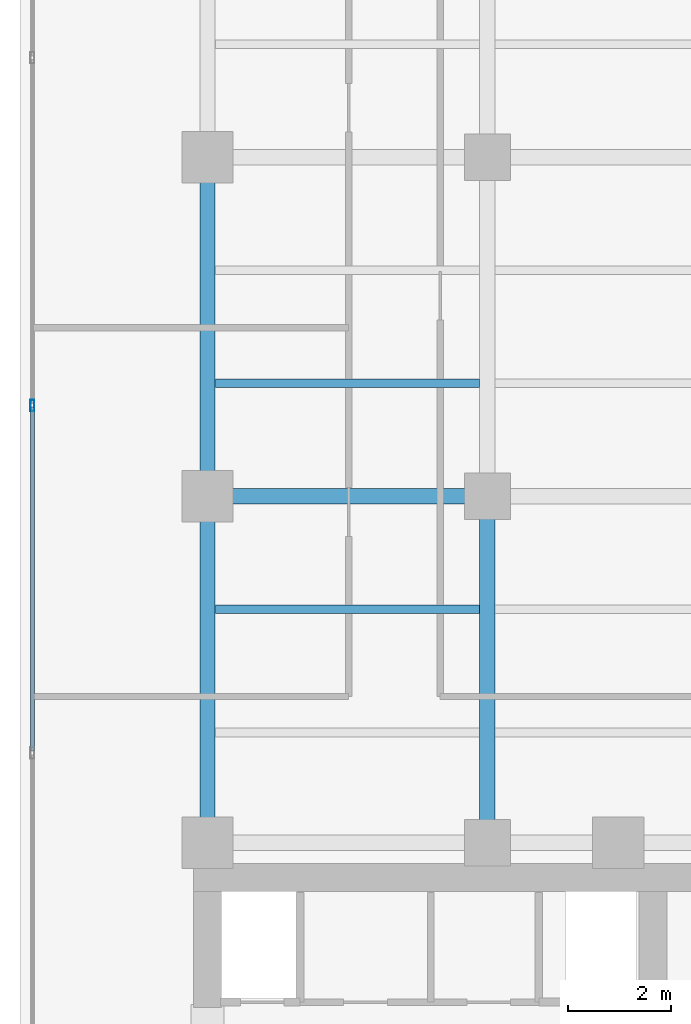
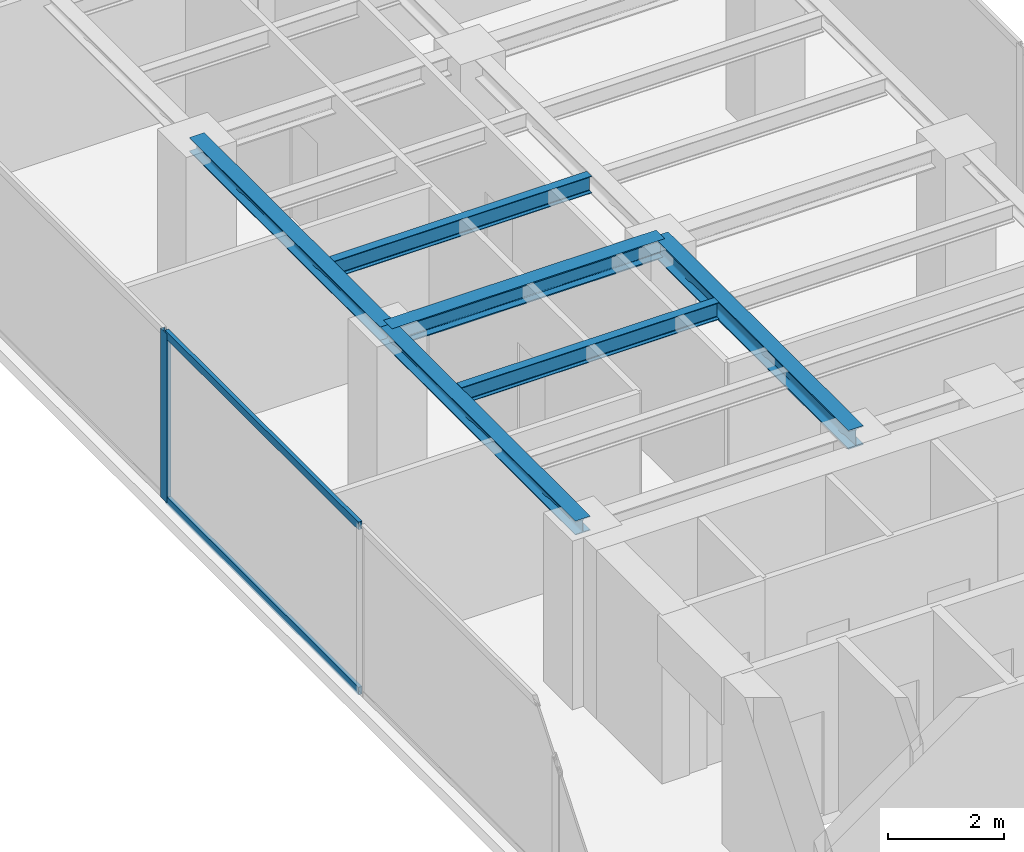
# One storey, part 7 of 23: 6 beams, 3 members, 1 element without a shape of its own.
"""IFC4 building model written with IfcOpenShell, lengths in metres."""

import ifcopenshell
import ifcopenshell.guid

model = None  # the IFC model being written
_history = None  # IfcOwnerHistory: only IFC2X3 demands one
_inside = {}  # id of a spatial element -> (the spatial element, [elements in it])
_under = {}  # id of a project, library or spatial element -> (it, [spatial elements below it])
_declared = {}  # id of a project -> (the project, [libraries it declares])
_typed = {}  # id of a type object -> (the type object, [elements of that type])
_made_of = {}  # id of a material, layer set ... -> (it, [elements and type objects made of it])


def new_model(schema):
    """Start an empty IFC model of exactly this schema.

    Asked for "IFC4X3", IfcOpenShell would pick the latest addendum, in which some entities
    have other attributes; the version numbers below select the first issue.
    IFC2X3 requires an IfcOwnerHistory on every rooted entity: one is made here for all.
    """
    global model, _history
    if schema == "IFC4X3":
        model = ifcopenshell.file(schema_version=(4, 3, 0, 0))
    else:
        model = ifcopenshell.file(schema=schema)
    _inside.clear()
    _under.clear()
    _declared.clear()
    _typed.clear()
    _made_of.clear()
    _history = None
    if model.schema == "IFC2X3":
        org = make("IfcOrganization", Name="unknown")
        user = make(
            "IfcPersonAndOrganization",
            ThePerson=make("IfcPerson", FamilyName="unknown"),
            TheOrganization=org,
        )
        app = make(
            "IfcApplication",
            ApplicationDeveloper=org,
            Version="unknown",
            ApplicationFullName="unknown",
            ApplicationIdentifier="unknown",
        )
        _history = make(
            "IfcOwnerHistory",
            OwningUser=user,
            OwningApplication=app,
            ChangeAction="ADDED",
            CreationDate=0,
        )
    return model


def make(cls, **values):
    """One entity of the class cls with the attributes given. An attribute that is None is left unset."""
    return model.create_entity(
        cls, **{name: value for name, value in values.items() if value is not None}
    )


def rooted(cls, **values):
    """An entity with a GlobalId (a new one), such as an element, a storey or a relation."""
    return make(cls, GlobalId=ifcopenshell.guid.new(), OwnerHistory=_history, **values)


def si_unit(unit_type, name, prefix=None):
    """IfcSIUnit, for example si_unit("LENGTHUNIT", "METRE", prefix="MILLI")."""
    return make("IfcSIUnit", UnitType=unit_type, Prefix=prefix, Name=name)


def assignment(units):
    """IfcUnitAssignment: the units of a project."""
    return None if units is None else make("IfcUnitAssignment", Units=units)


def point(xyz):
    """IfcCartesianPoint."""
    return None if xyz is None else make("IfcCartesianPoint", Coordinates=xyz)


def direction(xyz):
    """IfcDirection."""
    return None if xyz is None else make("IfcDirection", DirectionRatios=xyz)


def frame(location, z_axis=None, x_axis=None):
    """IfcAxis2Placement3D, a coordinate frame: its origin and axes. An axis left out is left unset."""
    return make(
        "IfcAxis2Placement3D",
        Location=point(location),
        Axis=direction(z_axis),
        RefDirection=direction(x_axis),
    )


def frame_2d(location, x_axis=None):
    """IfcAxis2Placement2D, a coordinate frame in the plane: its origin and x axis."""
    return make(
        "IfcAxis2Placement2D", Location=point(location), RefDirection=direction(x_axis)
    )


def origin():
    """The frame at (0, 0, 0) with its axes left unset."""
    return frame((0.0, 0.0, 0.0))


def origin_with_axes():
    """The frame at (0, 0, 0) with the z axis (0, 0, 1) and the x axis (1, 0, 0) written out."""
    return frame((0.0, 0.0, 0.0), z_axis=(0.0, 0.0, 1.0), x_axis=(1.0, 0.0, 0.0))


def origin_2d():
    """The frame at (0, 0) in the plane with its x axis left unset."""
    return frame_2d((0.0, 0.0))


def place(relative_to, where):
    """IfcLocalPlacement: puts the frame where relative to a parent placement (None: the world)."""
    return make(
        "IfcLocalPlacement", PlacementRelTo=relative_to, RelativePlacement=where
    )


def context(
    kind, dimensions, precision=None, world=None, true_north=None, identifier=None
):
    """IfcGeometricRepresentationContext, for example the 3D "Model" context."""
    return make(
        "IfcGeometricRepresentationContext",
        ContextIdentifier=identifier,
        ContextType=kind,
        CoordinateSpaceDimension=dimensions,
        Precision=precision,
        WorldCoordinateSystem=world,
        TrueNorth=true_north,
    )


def subcontext(parent, identifier, kind, view, scale=None):
    """IfcGeometricRepresentationSubContext, for example "Body" below "Model"."""
    return make(
        "IfcGeometricRepresentationSubContext",
        ContextIdentifier=identifier,
        ContextType=kind,
        ParentContext=parent,
        TargetScale=scale,
        TargetView=view,
    )


def project(units=None, contexts=None):
    """IfcProject with its units and contexts."""
    return rooted(
        "IfcProject",
        Name="project",
        RepresentationContexts=contexts,
        UnitsInContext=assignment(units),
    )


def spatial(cls, under=None, at=None, **own):
    """A site, building, storey or space (cls), placed at a placement, below another one or the project."""
    s = rooted(cls, ObjectPlacement=at, **own)
    if under is not None:
        _under.setdefault(under.id(), (under, []))[1].append(s)
    return s


def profile(cls, at=None, kind="AREA", **sizes):
    """A parametric profile (cls). Its sizes go by their IFC names, for example OverallWidth=200.0."""
    return make(cls, ProfileType=kind, Position=at, **sizes)


def hollow_rectangle(**sizes):
    """IfcRectangleHollowProfileDef."""
    return profile("IfcRectangleHollowProfileDef", **sizes)


def i_section(**sizes):
    """IfcIShapeProfileDef."""
    return profile("IfcIShapeProfileDef", **sizes)


def extrude(swept, where, along, depth):
    """IfcExtrudedAreaSolid: the profile swept, set in the frame where, extruded along a direction by depth."""
    return make(
        "IfcExtrudedAreaSolid",
        SweptArea=swept,
        Position=where,
        ExtrudedDirection=direction(along),
        Depth=depth,
    )


def shape(context_of_items, identifier, shape_type, items):
    """IfcShapeRepresentation: the items that make up one representation, for example the "Body"."""
    return make(
        "IfcShapeRepresentation",
        ContextOfItems=context_of_items,
        RepresentationIdentifier=identifier,
        RepresentationType=shape_type,
        Items=items,
    )


def source(mapping_origin, context_of_items, identifier, shape_type, items):
    """IfcRepresentationMap: a shape defined once, which mapped items show again and again."""
    return make(
        "IfcRepresentationMap",
        MappingOrigin=mapping_origin,
        MappedRepresentation=shape(context_of_items, identifier, shape_type, items),
    )


def transform(
    local_origin,
    x_axis=None,
    y_axis=None,
    z_axis=None,
    scale=None,
    scale2=None,
    scale3=None,
    uniform=True,
):
    """IfcCartesianTransformationOperator3D, or its non-uniform kind. x_axis, y_axis, z_axis: its Axis1, 2, 3."""
    if uniform:
        return make(
            "IfcCartesianTransformationOperator3D",
            Axis1=direction(x_axis),
            Axis2=direction(y_axis),
            LocalOrigin=point(local_origin),
            Scale=scale,
            Axis3=direction(z_axis),
        )
    return make(
        "IfcCartesianTransformationOperator3DnonUniform",
        Axis1=direction(x_axis),
        Axis2=direction(y_axis),
        LocalOrigin=point(local_origin),
        Scale=scale,
        Axis3=direction(z_axis),
        Scale2=scale2,
        Scale3=scale3,
    )


def mapped(mapping_source, mapping_target):
    """IfcMappedItem: shows the shape of a source again, moved by a transform."""
    return make(
        "IfcMappedItem", MappingSource=mapping_source, MappingTarget=mapping_target
    )


def material(Name=None, Category=None):
    """IfcMaterial."""
    return make("IfcMaterial", Name=Name, Category=Category)


def layer(
    of_material, thickness, ventilated=None, Name=None, Category=None, Priority=None
):
    """IfcMaterialLayer: one layer of a wall or slab, of a material (None: an air gap)."""
    return make(
        "IfcMaterialLayer",
        Material=of_material,
        LayerThickness=thickness,
        IsVentilated=ventilated,
        Name=Name,
        Category=Category,
        Priority=Priority,
    )


def layer_set(layers, Name=None):
    """IfcMaterialLayerSet."""
    return make("IfcMaterialLayerSet", MaterialLayers=layers, LayerSetName=Name)


def material_profile(
    of_material, cross_section, Name=None, Category=None, Priority=None
):
    """IfcMaterialProfile: a cross section and its material."""
    return make(
        "IfcMaterialProfile",
        Name=Name,
        Material=of_material,
        Profile=cross_section,
        Priority=Priority,
        Category=Category,
    )


def profile_set(profiles, Name=None, composite=None):
    """IfcMaterialProfileSet."""
    return make(
        "IfcMaterialProfileSet",
        Name=Name,
        MaterialProfiles=profiles,
        CompositeProfile=composite,
    )


def made_of(thing, what):
    """Note that an element or type object is made of a material, layer set ...; save() writes the relation."""
    if what is not None:
        _made_of.setdefault(what.id(), (what, []))[1].append(thing)
    return thing


def type_object(cls, material=None, **own):
    """A type object (cls), such as IfcWallType, which elements share."""
    return made_of(rooted(cls, **own), material)


def element(
    cls,
    number,
    at=None,
    inside=None,
    cuts=None,
    type_object=None,
    material=None,
    context=None,
    identifier="Body",
    shape_type=None,
    held_by="IfcProductDefinitionShape",
    body=None,
    shapes=None,
    **own,
):
    """One element of the class cls, such as IfcWall. Its Tag is "e" and its number.

    at: its placement. inside: the storey or other place that contains it. cuts: it is an
    opening in that element (IfcRelVoidsElement). A single representation is given by context,
    identifier, shape_type and body (its items); several are given by shapes. held_by: the class
    of the entity that holds the representations. save() writes the other relations.
    """
    e = rooted(cls, Tag="e%d" % number, ObjectPlacement=at, **own)
    if body is not None:
        shapes = [shape(context, identifier, shape_type, body)]
    if shapes is not None:
        e.Representation = make(held_by, Representations=shapes)
    if inside is not None:
        _inside.setdefault(inside.id(), (inside, []))[1].append(e)
    if cuts is not None:
        rooted(
            "IfcRelVoidsElement", RelatingBuildingElement=cuts, RelatedOpeningElement=e
        )
    if type_object is not None:
        _typed.setdefault(type_object.id(), (type_object, []))[1].append(e)
    return made_of(e, material)


def aggregate(whole, parts):
    """IfcRelAggregates: a whole, such as a stair, and the parts it consists of."""
    return rooted("IfcRelAggregates", RelatingObject=whole, RelatedObjects=parts)


def save(model, path):
    """Write the relations noted so far, then the file.

    IfcRelAggregates (storeys below a building ...), IfcRelContainedInSpatialStructure (elements
    in a storey), IfcRelDefinesByType, IfcRelAssociatesMaterial and IfcRelDeclares: one each for
    every whole, place, type object, material and project.
    """
    for whole, parts in _under.values():
        aggregate(whole, parts)
    for where, things in _inside.values():
        rooted(
            "IfcRelContainedInSpatialStructure",
            RelatedElements=things,
            RelatingStructure=where,
        )
    for kind, things in _typed.values():
        rooted("IfcRelDefinesByType", RelatedObjects=things, RelatingType=kind)
    for what, things in _made_of.values():
        rooted("IfcRelAssociatesMaterial", RelatedObjects=things, RelatingMaterial=what)
    for by, libraries in _declared.values():
        rooted("IfcRelDeclares", RelatingContext=by, RelatedDefinitions=libraries)
    model.write(path)


model = new_model("IFC4")

# Units and contexts
model_context = context("Model", 3, precision=1e-05, world=origin(), true_north=direction((0.0, 1.0)))
body_context = subcontext(model_context, "Body", "Model", "MODEL_VIEW")
ifc_project = project(units=[si_unit("LENGTHUNIT", "METRE"), si_unit("AREAUNIT", "SQUARE_METRE"), si_unit("VOLUMEUNIT", "CUBIC_METRE"), si_unit("PLANEANGLEUNIT", "RADIAN"), si_unit("MASSUNIT", "GRAM", prefix="KILO")], contexts=[model_context])

# Site, building, storey
site_placement = place(None, origin())
site = spatial("IfcSite", under=ifc_project, at=site_placement, CompositionType="ELEMENT")
building_placement = place(site_placement, origin())
building = spatial("IfcBuilding", under=site, at=building_placement, Name="Kolvaren Waterfront Exchange", CompositionType="ELEMENT")
storey_placement = place(building_placement, frame((0.0, 0.0, 242.5)))
storey = spatial("IfcBuildingStorey", under=building, at=storey_placement, Name="L62", CompositionType="ELEMENT", Elevation=242.5)

# Beams
ifc_material_1 = material(Name="Steel S355", Category="steel")
ifc_material_profile_1 = material_profile(ifc_material_1, i_section(OverallWidth=0.300048828125, OverallDepth=0.300048828125, WebThickness=0.010986328125, FlangeThickness=0.01904296875, FilletRadius=0.027099609375, at=origin_2d()), Name="HEB300")
ifc_profile_set_1 = profile_set([ifc_material_profile_1], Name="Steel S355")
beam_type_1 = type_object("IfcBeamType", Name="STR-BM-HEB300", PredefinedType="SPANDREL", material=ifc_profile_set_1)
beam_1_placement = place(storey_placement, frame((7.449951171875, 24.449951171875, 3.409912109375), z_axis=(0.0, 1.0, 0.0), x_axis=(-1.0, 0.0, 0.0)))
element("IfcBeam", 1, at=beam_1_placement, inside=storey, type_object=beam_type_1, Name="L62 north-arm edge beam 1", PredefinedType="SPANDREL", context=body_context, shape_type="SweptSolid", body=[
    extrude(i_section(OverallWidth=0.300048828125, OverallDepth=0.300048828125, WebThickness=0.010986328125, FlangeThickness=0.01904296875, FilletRadius=0.027099609375, at=origin_2d()), origin(), (0.0, 0.0, 1.0), 6.75),
])
beam_2_placement = place(storey_placement, frame((7.449951171875, 31.199951171875, 3.409912109375), z_axis=(0.0, 1.0, 0.0), x_axis=(-1.0, 0.0, 0.0)))
element("IfcBeam", 2, at=beam_2_placement, inside=storey, type_object=beam_type_1, Name="L62 north-arm edge beam 2", PredefinedType="SPANDREL", context=body_context, shape_type="SweptSolid", body=[
    extrude(i_section(OverallWidth=0.300048828125, OverallDepth=0.300048828125, WebThickness=0.010986328125, FlangeThickness=0.01904296875, FilletRadius=0.027099609375, at=origin_2d()), origin(), (0.0, 0.0, 1.0), 6.60009765625),
])
ifc_material_profile_2 = material_profile(ifc_material_1, i_section(OverallWidth=0.300048828125, OverallDepth=0.39990234375, WebThickness=0.013427734375, FlangeThickness=0.02392578125, FilletRadius=0.027099609375, at=origin_2d()), Name="HEB400")
ifc_profile_set_2 = profile_set([ifc_material_profile_2], Name="Steel S355")
beam_type_2 = type_object("IfcBeamType", Name="STR-BM-HEB400", PredefinedType="BEAM", material=ifc_profile_set_2)
beam_3_placement = place(storey_placement, frame((7.449951171875, 31.199951171875, 3.360107421875), z_axis=(1.0, 0.0, 0.0), x_axis=(0.0, 1.0, 0.0)))
element("IfcBeam", 3, at=beam_3_placement, inside=storey, type_object=beam_type_2, Name="L62 north-arm girder 2A", PredefinedType="BEAM", context=body_context, shape_type="SweptSolid", body=[
    extrude(i_section(OverallWidth=0.300048828125, OverallDepth=0.39990234375, WebThickness=0.013427734375, FlangeThickness=0.02392578125, FilletRadius=0.027099609375, at=origin_2d()), origin(), (0.0, 0.0, 1.0), 5.449951171875),
])
beam_4_placement = place(storey_placement, frame((12.89990234375, 24.449951171875, 3.360107421875), z_axis=(0.0, 1.0, 0.0), x_axis=(-1.0, 0.0, 0.0)))
element("IfcBeam", 4, at=beam_4_placement, inside=storey, type_object=beam_type_2, Name="L62 north-arm edge beam 1", PredefinedType="BEAM", context=body_context, shape_type="SweptSolid", body=[
    extrude(i_section(OverallWidth=0.300048828125, OverallDepth=0.39990234375, WebThickness=0.013427734375, FlangeThickness=0.02392578125, FilletRadius=0.027099609375, at=origin_2d()), origin(), (0.0, 0.0, 1.0), 6.75),
])
ifc_material_profile_3 = material_profile(ifc_material_1, i_section(OverallWidth=0.169921875, OverallDepth=0.360107421875, WebThickness=0.008056640625, FlangeThickness=0.0126953125, FilletRadius=0.01806640625, at=origin_2d()), Name="IPE360")
ifc_profile_set_3 = profile_set([ifc_material_profile_3], Name="Steel S355")
beam_type_3 = type_object("IfcBeamType", Name="STR-BM-IPE360", PredefinedType="JOIST", material=ifc_profile_set_3)
for number, where, z_axis, x_axis, name in (
    (5, (7.60205078125, 29.0, 3.3798828125), (1.0, 0.0, 0.0), (0.0, 1.0, 0.0), "L62 north-arm composite joist 2A"),
    (6, (7.60205078125, 33.39990234375, 3.3798828125), (1.0, 0.0, 0.0), (0.0, 1.0, 0.0), "L62 north-arm composite joist 3A"),
):
    element("IfcBeam", number, at=place(storey_placement, frame(where, z_axis=z_axis, x_axis=x_axis)), inside=storey, type_object=beam_type_3, Name=name, PredefinedType="JOIST", context=body_context, shape_type="SweptSolid", body=[
        extrude(i_section(OverallWidth=0.169921875, OverallDepth=0.360107421875, WebThickness=0.008056640625, FlangeThickness=0.0126953125, FilletRadius=0.01806640625, at=origin_2d()), origin(), (0.0, 0.0, 1.0), 5.14599609375),
    ])

# Curtain wall, members
ifc_material_2 = material(Name="Anodised aluminium 6063-T6", Category="aluminium")
ifc_layer = layer(ifc_material_2, 0.219970703125, Name="Anodised aluminium 6063-T6")
ifc_layer_set = layer_set([ifc_layer], Name="Anodised aluminium 6063-T6")
curtain_wall_type = type_object("IfcCurtainWallType", Name="ARC-CW-SYS2", PredefinedType="USERDEFINED", material=ifc_layer_set)
curtain_wall_placement = place(storey_placement, origin())
curtain_wall = element("IfcCurtainWall", 7, at=curtain_wall_placement, inside=storey, type_object=curtain_wall_type, Name="L62 stick curtain wall CW2 (CW-L62-W)", ObjectType="STICK CURTAIN WALL", PredefinedType="USERDEFINED")
ifc_material_profile_4 = material_profile(ifc_material_2, hollow_rectangle(XDim=0.080078125, YDim=0.219970703125, WallThickness=0.0048828125, at=origin_2d()), Name="ALU-MUL-220x80x5")
ifc_profile_set_4 = profile_set([ifc_material_profile_4], Name="Anodised aluminium 6063-T6")
member_type_1 = type_object("IfcMemberType", Name="ARC-CWM-220", PredefinedType="MULLION", material=ifc_profile_set_4)
shared_shape_1 = source(origin_with_axes(), body_context, "Body", "SweptSolid", [
    extrude(hollow_rectangle(XDim=0.080078125, YDim=0.219970703125, WallThickness=0.0048828125, at=origin_2d()), origin(), (0.0, 0.0, 1.0), 3.56005859375),
])
member_1_placement = place(storey_placement, frame((4.0400390625, 32.966552734375, 0.0), z_axis=(0.0, 0.0, 1.0), x_axis=(-1.0, 0.0, 0.0)))
member_1 = element("IfcMember", 8, at=member_1_placement, type_object=member_type_1, Name="CW2 mullion 5", PredefinedType="MULLION", context=body_context, shape_type="MappedRepresentation", body=[
    mapped(shared_shape_1, transform((0.0, 0.0, 0.0), x_axis=(1.0, 0.0, 0.0), y_axis=(0.0, 1.0, 0.0), z_axis=(0.0, 0.0, 1.0), scale=1.0)),
])
ifc_material_profile_5 = material_profile(ifc_material_2, hollow_rectangle(XDim=0.074951171875, YDim=0.159912109375, WallThickness=0.00439453125, at=origin_2d()), Name="ALU-TRN-160x75x4.5")
ifc_profile_set_5 = profile_set([ifc_material_profile_5], Name="Anodised aluminium 6063-T6")
member_type_2 = type_object("IfcMemberType", Name="ARC-CWT-160", PredefinedType="USERDEFINED", material=ifc_profile_set_5)
shared_shape_2 = source(origin_with_axes(), body_context, "Body", "SweptSolid", [
    extrude(hollow_rectangle(XDim=0.074951171875, YDim=0.159912109375, WallThickness=0.00439453125, at=origin_2d()), origin(), (0.0, 0.0, 1.0), 6.686767578125),
])
member_2_placement = place(storey_placement, frame((4.0400390625, 26.239990234375, 0.03759765625), z_axis=(0.0, 1.0, 0.0), x_axis=(-1.0, 0.0, 0.0)))
member_2 = element("IfcMember", 9, at=member_2_placement, type_object=member_type_2, Name="CW2 transom 4.1", ObjectType="TRANSOM", PredefinedType="USERDEFINED", context=body_context, shape_type="MappedRepresentation", body=[
    mapped(shared_shape_2, transform((0.0, 0.0, 0.0), x_axis=(1.0, 0.0, 0.0), y_axis=(0.0, 1.0, 0.0), z_axis=(0.0, 0.0, 1.0), scale=1.0)),
])
member_3_placement = place(storey_placement, frame((4.0400390625, 26.239990234375, 3.5224609375), z_axis=(0.0, 1.0, 0.0), x_axis=(-1.0, 0.0, 0.0)))
member_3 = element("IfcMember", 10, at=member_3_placement, type_object=member_type_2, Name="CW2 transom 4.2", ObjectType="TRANSOM", PredefinedType="USERDEFINED", context=body_context, shape_type="MappedRepresentation", body=[
    mapped(shared_shape_2, transform((0.0, 0.0, 0.0), x_axis=(1.0, 0.0, 0.0), y_axis=(0.0, 1.0, 0.0), z_axis=(0.0, 0.0, 1.0), scale=1.0)),
])
aggregate(curtain_wall, [member_1, member_2, member_3])

save(model, "model.ifc")
